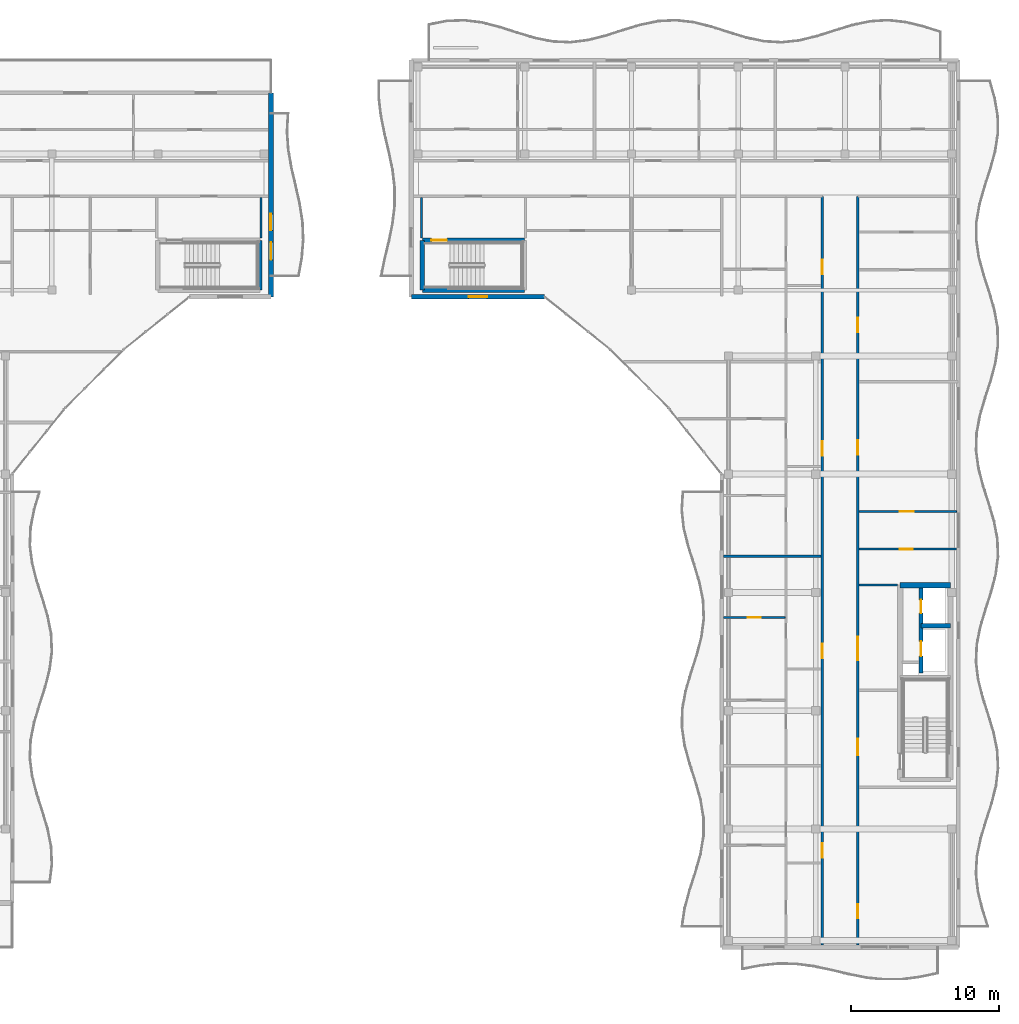
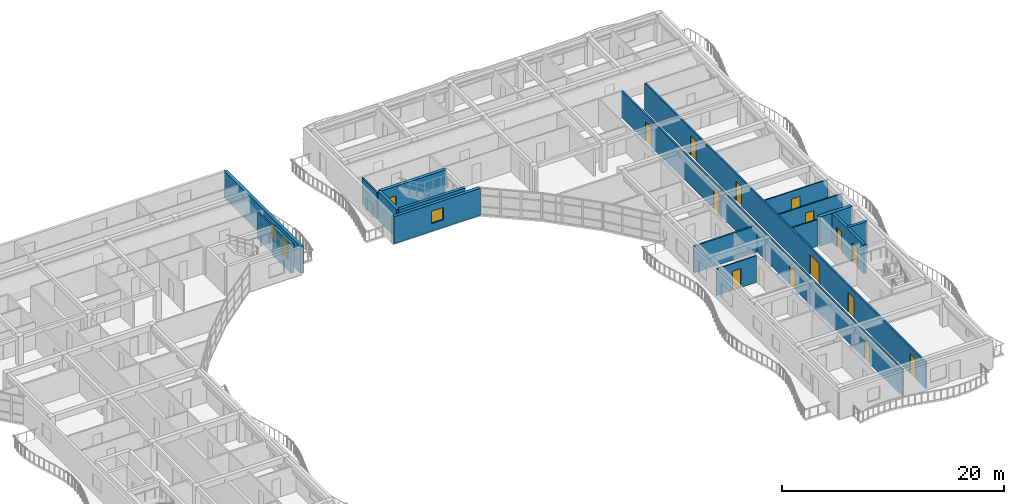
# One storey, part 35 of 54: 18 walls, 16 doors, 2 windows, 18 openings.
"""IFC4 building model written with IfcOpenShell, lengths in metres."""

from ifc_helpers import new_model, si_unit, direction, frame, frame_2d, origin, place, context, subcontext, project, spatial, rectangle, extrude, material, layer, layer_set, type_object, element, fill, save


model = new_model("IFC4")

# Units and contexts
model_context = context("Model", 3, precision=1e-05, world=origin(), true_north=direction((0.0, 1.0)))
body_context = subcontext(model_context, "Body", "Model", "MODEL_VIEW")
ifc_project = project(units=[si_unit("LENGTHUNIT", "METRE"), si_unit("AREAUNIT", "SQUARE_METRE"), si_unit("VOLUMEUNIT", "CUBIC_METRE"), si_unit("PLANEANGLEUNIT", "RADIAN"), si_unit("MASSUNIT", "GRAM", prefix="KILO")], contexts=[model_context])

# Site, building, storey
site_placement = place(None, origin())
site = spatial("IfcSite", under=ifc_project, at=site_placement, CompositionType="ELEMENT")
building_placement = place(site_placement, origin())
building = spatial("IfcBuilding", under=site, at=building_placement, Name="Keldmere Railside Commons", CompositionType="ELEMENT")
storey_placement = place(building_placement, frame((0.0, 0.0, 26.56005859375)))
storey = spatial("IfcBuildingStorey", under=building, at=storey_placement, Name="L08", CompositionType="ELEMENT", Elevation=26.56005859375)

# Wall
ifc_material_1 = material(Name="Acoustic Gypsum Board Partition", Category="gypsum")
ifc_layer_1 = layer(ifc_material_1, 0.179931640625, Name="Acoustic Demising Partition 180")
ifc_layer_set_1 = layer_set([ifc_layer_1], Name="Acoustic Gypsum Board Partition")
wall_type_1 = type_object("IfcWallType", Name="Acoustic Demising Partition 180", PredefinedType="PARTITIONING", material=ifc_layer_set_1)
wall_1_placement = place(storey_placement, frame((168.1201171875, 82.449951171875, 0.0), z_axis=(0.0, 0.0, 1.0), x_axis=(1.0, 0.0, 0.0)))
element("IfcWall", 1, at=wall_1_placement, inside=storey, type_object=wall_type_1, Name="IW-1 IW-L08-1731", PredefinedType="PARTITIONING", context=body_context, shape_type="SweptSolid", body=[
    extrude(rectangle(XDim=6.599853515625, YDim=0.179931640625, at=frame_2d((3.2998046875, 0.0))), origin(), (0.0, 0.0, 1.0), 2.93505859375),
])

# Wall, opening, door
ifc_layer_2 = layer(ifc_material_1, 0.1201171875, Name="Apartment Interior Partition 120")
ifc_layer_set_2 = layer_set([ifc_layer_2], Name="Acoustic Gypsum Board Partition")
wall_type_2 = type_object("IfcWallType", Name="Apartment Interior Partition 120", PredefinedType="PARTITIONING", material=ifc_layer_set_2)
wall_2_placement = place(storey_placement, frame((168.1201171875, 78.31005859375, 0.0), z_axis=(0.0, 0.0, 1.0), x_axis=(1.0, 0.0, 0.0)))
wall_2 = element("IfcWall", 2, at=wall_2_placement, inside=storey, type_object=wall_type_2, Name="IW-4 IW-L08-1739", PredefinedType="PARTITIONING", context=body_context, shape_type="SweptSolid", body=[
    extrude(rectangle(XDim=4.159912109375, YDim=0.1201171875, at=frame_2d((2.080078125, 0.0))), origin(), (0.0, 0.0, 1.0), 2.93505859375),
])
opening_1_placement = place(wall_2_placement, frame((1.639892578125, 0.0, 0.0)))
opening_1 = element("IfcOpeningElement", 3, at=opening_1_placement, cuts=wall_2, Name="Opening ID-02", PredefinedType="OPENING", context=body_context, shape_type="SweptSolid", body=[
    extrude(rectangle(XDim=0.8798828125, YDim=2.10009765625, at=frame_2d((0.43994140625, 1.050048828125))), frame((0.0, 0.070068359375, 0.0), z_axis=(0.0, -1.0, 0.0), x_axis=(1.0, 0.0, 0.0)), (0.0, 0.0, 1.0), 0.14013671875),
])
ifc_material_2 = material(Name="Engineered Oak Timber", Category="wood")
door_type_1 = type_object("IfcDoorType", Name="Secondary Bedroom Door 880x2100", OperationType="NOTDEFINED", PredefinedType="DOOR", material=ifc_material_2)
door_1_placement = place(opening_1_placement, origin())
door_1 = element("IfcDoor", 4, at=door_1_placement, inside=storey, type_object=door_type_1, Name="ID-02 IDR-L08-1580", OperationType="SINGLE_SWING_RIGHT", OverallHeight=2.10009765625, OverallWidth=0.8798828125, PredefinedType="DOOR", context=body_context, shape_type="SweptSolid", body=[
    extrude(rectangle(XDim=0.8798828125, YDim=2.10009765625, at=frame_2d((0.43994140625, 1.050048828125))), frame((0.0, 0.02490234375, 0.0), z_axis=(0.0, -1.0, 0.0), x_axis=(1.0, 0.0, 0.0)), (0.0, 0.0, 1.0), 0.050048828125),
])
fill(opening_1, door_1)

wall_3_placement = place(storey_placement, frame((177.280029296875, 85.47998046875, 0.0), z_axis=(0.0, 0.0, 1.0), x_axis=(1.0, 0.0, 0.0)))
wall_3 = element("IfcWall", 5, at=wall_3_placement, inside=storey, type_object=wall_type_2, Name="IW-4 IW-L08-1763", PredefinedType="PARTITIONING", context=body_context, shape_type="SweptSolid", body=[
    extrude(rectangle(XDim=6.599853515625, YDim=0.1201171875, at=frame_2d((3.2998046875, 0.0))), origin(), (0.0, 0.0, 1.0), 2.93505859375),
])
opening_2_placement = place(wall_3_placement, frame((2.77197265625, 0.0, 0.0)))
opening_2 = element("IfcOpeningElement", 6, at=opening_2_placement, cuts=wall_3, Name="Opening ID-03", PredefinedType="OPENING", context=body_context, shape_type="SweptSolid", body=[
    extrude(rectangle(XDim=0.919921875, YDim=2.10009765625, at=frame_2d((0.4599609375, 1.050048828125))), frame((0.0, 0.070068359375, 0.0), z_axis=(0.0, -1.0, 0.0), x_axis=(1.0, 0.0, 0.0)), (0.0, 0.0, 1.0), 0.14013671875),
])
door_type_2 = type_object("IfcDoorType", Name="Kitchen Pocket-Frame Swing Door 920x2100", OperationType="NOTDEFINED", PredefinedType="DOOR", material=ifc_material_2)
door_2_placement = place(opening_2_placement, origin())
door_2 = element("IfcDoor", 7, at=door_2_placement, inside=storey, type_object=door_type_2, Name="ID-03 IDR-L08-1611", OperationType="SINGLE_SWING_LEFT", OverallHeight=2.10009765625, OverallWidth=0.919921875, PredefinedType="DOOR", context=body_context, shape_type="SweptSolid", body=[
    extrude(rectangle(XDim=0.919921875, YDim=2.10009765625, at=frame_2d((0.4599609375, 1.050048828125))), frame((0.0, 0.02490234375, 0.0), z_axis=(0.0, -1.0, 0.0), x_axis=(1.0, 0.0, 0.0)), (0.0, 0.0, 1.0), 0.050048828125),
])
fill(opening_2, door_2)

# Wall
ifc_material_3 = material(Name="Concrete H-35 (C35/45)", Category="concrete")
ifc_layer_3 = layer(ifc_material_3, 0.280029296875, Name="Core Shear Wall 280")
ifc_layer_set_3 = layer_set([ifc_layer_3], Name="Concrete H-35 (C35/45)")
wall_type_3 = type_object("IfcWallType", Name="Core Shear Wall 280", PredefinedType="SHEAR", material=ifc_layer_set_3)
wall_4_placement = place(storey_placement, frame((181.469970703125, 77.75, 0.0), z_axis=(0.0, 0.0, 1.0), x_axis=(1.0, 0.0, 0.0)))
element("IfcWall", 8, at=wall_4_placement, inside=storey, type_object=wall_type_3, Name="CSW-2 COREAL-L08-0809", PredefinedType="SHEAR", context=body_context, shape_type="SweptSolid", body=[
    extrude(rectangle(XDim=2.0, YDim=0.280029296875, at=frame_2d((1.0, 0.0))), origin(), (0.0, 0.0, 1.0), 3.199951171875),
])

# Wall, openings, doors
wall_5_placement = place(storey_placement, frame((181.469970703125, 74.550048828125, 0.0), z_axis=(0.0, 0.0, 1.0), x_axis=(0.0, 1.0, 0.0)))
wall_5 = element("IfcWall", 9, at=wall_5_placement, inside=storey, type_object=wall_type_3, Name="CSW-2 LSHA-L08-0810", PredefinedType="SHEAR", context=body_context, shape_type="SweptSolid", body=[
    extrude(rectangle(XDim=5.949951171875, YDim=0.280029296875, at=frame_2d((2.97509765625, 0.0))), origin(), (0.0, 0.0, 1.0), 3.199951171875),
])
opening_3_placement = place(wall_5_placement, frame((1.14990234375, 0.0, 0.0)))
opening_3 = element("IfcOpeningElement", 10, at=opening_3_placement, cuts=wall_5, Name="Opening LD-1", PredefinedType="OPENING", context=body_context, shape_type="SweptSolid", body=[
    extrude(rectangle(XDim=1.0, YDim=2.14990234375, at=frame_2d((0.5, 1.074951171875))), frame((0.0, 0.14990234375, 0.0), z_axis=(0.0, -1.0, 0.0), x_axis=(1.0, 0.0, 0.0)), (0.0, 0.0, 1.0), 0.300048828125),
])
opening_4_placement = place(wall_5_placement, frame((4.050048828125, 0.0, 0.0)))
opening_4 = element("IfcOpeningElement", 11, at=opening_4_placement, cuts=wall_5, Name="Opening LD-2", PredefinedType="OPENING", context=body_context, shape_type="SweptSolid", body=[
    extrude(rectangle(XDim=0.89990234375, YDim=2.14990234375, at=frame_2d((0.449951171875, 1.074951171875))), frame((0.0, 0.14990234375, 0.0), z_axis=(0.0, -1.0, 0.0), x_axis=(1.0, 0.0, 0.0)), (0.0, 0.0, 1.0), 0.300048828125),
])
ifc_material_4 = material(Name="Steel F-24 (S235)", Category="steel")
door_type_3 = type_object("IfcDoorType", Name="Firefighting Stretcher Lift Landing Door 1000x2150", OperationType="SLIDING_TO_LEFT", PredefinedType="DOOR", material=ifc_material_4)
door_3_placement = place(opening_3_placement, origin())
door_3 = element("IfcDoor", 12, at=door_3_placement, inside=storey, type_object=door_type_3, Name="LD-1 A L08", OperationType="SLIDING_TO_LEFT", OverallHeight=2.14990234375, OverallWidth=1.0, PredefinedType="DOOR", context=body_context, shape_type="SweptSolid", body=[
    extrude(rectangle(XDim=1.0, YDim=2.14990234375, at=frame_2d((0.5, 1.074951171875))), frame((0.0, 0.02490234375, 0.0), z_axis=(0.0, -1.0, 0.0), x_axis=(1.0, 0.0, 0.0)), (0.0, 0.0, 1.0), 0.050048828125),
])
fill(opening_3, door_3)
door_type_4 = type_object("IfcDoorType", Name="Passenger Lift Sliding Landing Door 900x2150", OperationType="SLIDING_TO_RIGHT", PredefinedType="DOOR", material=ifc_material_4)
door_4_placement = place(opening_4_placement, origin())
door_4 = element("IfcDoor", 13, at=door_4_placement, inside=storey, type_object=door_type_4, Name="LD-2 A L08", OperationType="SLIDING_TO_RIGHT", OverallHeight=2.14990234375, OverallWidth=0.89990234375, PredefinedType="DOOR", context=body_context, shape_type="SweptSolid", body=[
    extrude(rectangle(XDim=0.89990234375, YDim=2.14990234375, at=frame_2d((0.449951171875, 1.074951171875))), frame((0.0, 0.02490234375, 0.0), z_axis=(0.0, -1.0, 0.0), x_axis=(1.0, 0.0, 0.0)), (0.0, 0.0, 1.0), 0.050048828125),
])
fill(opening_4, door_4)

# Wall
ifc_material_5 = material(Name="Concrete H-40 (C40/50)", Category="concrete")
ifc_layer_4 = layer(ifc_material_5, 0.3798828125, Name="Core Shear Wall 380")
ifc_layer_set_4 = layer_set([ifc_layer_4], Name="Concrete H-40 (C40/50)")
wall_type_4 = type_object("IfcWallType", Name="Core Shear Wall 380", PredefinedType="SHEAR", material=ifc_layer_set_4)
wall_6_placement = place(storey_placement, frame((180.06005859375, 80.5, 0.0), z_axis=(0.0, 0.0, 1.0), x_axis=(1.0, 0.0, 0.0)))
element("IfcWall", 14, at=wall_6_placement, inside=storey, type_object=wall_type_4, Name="CW-CORE COREAN-L08-0805", PredefinedType="SHEAR", context=body_context, shape_type="SweptSolid", body=[
    extrude(rectangle(XDim=3.409912109375, YDim=0.3798828125, at=frame_2d((1.705078125, 0.0))), origin(), (0.0, 0.0, 1.0), 3.199951171875),
])

# Wall, openings, doors
ifc_layer_5 = layer(ifc_material_1, 0.159912109375, Name="Corridor Fire Partition 160")
ifc_layer_set_5 = layer_set([ifc_layer_5], Name="Acoustic Gypsum Board Partition")
wall_type_5 = type_object("IfcWallType", Name="Corridor Fire Partition 160", PredefinedType="PARTITIONING", material=ifc_layer_set_5)
wall_7_placement = place(storey_placement, frame((174.800048828125, 56.159912109375, 0.0), z_axis=(0.0, 0.0, 1.0), x_axis=(0.0, 1.0, 0.0)))
wall_7 = element("IfcWall", 15, at=wall_7_placement, inside=storey, type_object=wall_type_5, Name="IW-2 IW-L08-1722", PredefinedType="PARTITIONING", context=body_context, shape_type="SweptSolid", body=[
    extrude(rectangle(XDim=50.64013671875, YDim=0.159912109375, at=frame_2d((25.320068359375, 0.0))), origin(), (0.0, 0.0, 1.0), 2.93505859375),
])
opening_5_placement = place(wall_7_placement, frame((5.889892578125, 0.0, 0.0)))
opening_5 = element("IfcOpeningElement", 16, at=opening_5_placement, cuts=wall_7, Name="Opening FD-7", PredefinedType="OPENING", context=body_context, shape_type="SweptSolid", body=[
    extrude(rectangle(XDim=0.97998046875, YDim=2.14990234375, at=frame_2d((0.489990234375, 1.074951171875))), frame((0.0, 0.08984375, 0.0), z_axis=(0.0, -1.0, 0.0), x_axis=(1.0, 0.0, 0.0)), (0.0, 0.0, 1.0), 0.179931640625),
])
opening_6_placement = place(wall_7_placement, frame((19.39990234375, 0.0, 0.0)))
opening_6 = element("IfcOpeningElement", 17, at=opening_6_placement, cuts=wall_7, Name="Opening FD-7", PredefinedType="OPENING", context=body_context, shape_type="SweptSolid", body=[
    extrude(rectangle(XDim=0.97998046875, YDim=2.14990234375, at=frame_2d((0.489990234375, 1.074951171875))), frame((0.0, 0.08984375, 0.0), z_axis=(0.0, -1.0, 0.0), x_axis=(1.0, 0.0, 0.0)), (0.0, 0.0, 1.0), 0.179931640625),
])
opening_7_placement = place(wall_7_placement, frame((33.10009765625, 0.0, 0.0)))
opening_7 = element("IfcOpeningElement", 18, at=opening_7_placement, cuts=wall_7, Name="Opening FD-7", PredefinedType="OPENING", context=body_context, shape_type="SweptSolid", body=[
    extrude(rectangle(XDim=0.97998046875, YDim=2.14990234375, at=frame_2d((0.489990234375, 1.074951171875))), frame((0.0, 0.08984375, 0.0), z_axis=(0.0, -1.0, 0.0), x_axis=(1.0, 0.0, 0.0)), (0.0, 0.0, 1.0), 0.179931640625),
])
opening_8_placement = place(wall_7_placement, frame((45.35009765625, 0.0, 0.0)))
opening_8 = element("IfcOpeningElement", 19, at=opening_8_placement, cuts=wall_7, Name="Opening FD-7", PredefinedType="OPENING", context=body_context, shape_type="SweptSolid", body=[
    extrude(rectangle(XDim=0.97998046875, YDim=2.14990234375, at=frame_2d((0.489990234375, 1.074951171875))), frame((0.0, 0.08984375, 0.0), z_axis=(0.0, -1.0, 0.0), x_axis=(1.0, 0.0, 0.0)), (0.0, 0.0, 1.0), 0.179931640625),
])
door_type_5 = type_object("IfcDoorType", Name="Apartment Entrance Acoustic Fire Door 980x2150", OperationType="NOTDEFINED", PredefinedType="DOOR", material=ifc_material_2)
door_5_placement = place(opening_5_placement, origin())
door_5 = element("IfcDoor", 20, at=door_5_placement, inside=storey, type_object=door_type_5, Name="FD-7 IDR-L08-1574", OperationType="SINGLE_SWING_RIGHT", OverallHeight=2.14990234375, OverallWidth=0.97998046875, PredefinedType="DOOR", context=body_context, shape_type="SweptSolid", body=[
    extrude(rectangle(XDim=0.97998046875, YDim=2.14990234375, at=frame_2d((0.489990234375, 1.074951171875))), frame((0.0, 0.02490234375, 0.0), z_axis=(0.0, -1.0, 0.0), x_axis=(1.0, 0.0, 0.0)), (0.0, 0.0, 1.0), 0.050048828125),
])
fill(opening_5, door_5)
door_6_placement = place(opening_6_placement, origin())
door_6 = element("IfcDoor", 21, at=door_6_placement, inside=storey, type_object=door_type_5, Name="FD-7 IDR-L08-1578", OperationType="SINGLE_SWING_RIGHT", OverallHeight=2.14990234375, OverallWidth=0.97998046875, PredefinedType="DOOR", context=body_context, shape_type="SweptSolid", body=[
    extrude(rectangle(XDim=0.97998046875, YDim=2.14990234375, at=frame_2d((0.489990234375, 1.074951171875))), frame((0.0, 0.02490234375, 0.0), z_axis=(0.0, -1.0, 0.0), x_axis=(1.0, 0.0, 0.0)), (0.0, 0.0, 1.0), 0.050048828125),
])
fill(opening_6, door_6)
door_7_placement = place(opening_7_placement, origin())
door_7 = element("IfcDoor", 22, at=door_7_placement, inside=storey, type_object=door_type_5, Name="FD-7 IDR-L08-1583", OperationType="SINGLE_SWING_LEFT", OverallHeight=2.14990234375, OverallWidth=0.97998046875, PredefinedType="DOOR", context=body_context, shape_type="SweptSolid", body=[
    extrude(rectangle(XDim=0.97998046875, YDim=2.14990234375, at=frame_2d((0.489990234375, 1.074951171875))), frame((0.0, 0.02490234375, 0.0), z_axis=(0.0, -1.0, 0.0), x_axis=(1.0, 0.0, 0.0)), (0.0, 0.0, 1.0), 0.050048828125),
])
fill(opening_7, door_7)
door_8_placement = place(opening_8_placement, origin())
door_8 = element("IfcDoor", 23, at=door_8_placement, inside=storey, type_object=door_type_5, Name="FD-7 IDR-L08-1588", OperationType="SINGLE_SWING_RIGHT", OverallHeight=2.14990234375, OverallWidth=0.97998046875, PredefinedType="DOOR", context=body_context, shape_type="SweptSolid", body=[
    extrude(rectangle(XDim=0.97998046875, YDim=2.14990234375, at=frame_2d((0.489990234375, 1.074951171875))), frame((0.0, 0.02490234375, 0.0), z_axis=(0.0, -1.0, 0.0), x_axis=(1.0, 0.0, 0.0)), (0.0, 0.0, 1.0), 0.050048828125),
])
fill(opening_8, door_8)

wall_8_placement = place(storey_placement, frame((177.199951171875, 56.159912109375, 0.0), z_axis=(0.0, 0.0, 1.0), x_axis=(0.0, 1.0, 0.0)))
wall_8 = element("IfcWall", 24, at=wall_8_placement, inside=storey, type_object=wall_type_5, Name="IW-2 IW-L08-1723", PredefinedType="PARTITIONING", context=body_context, shape_type="SweptSolid", body=[
    extrude(rectangle(XDim=50.64013671875, YDim=0.159912109375, at=frame_2d((25.320068359375, 0.0))), origin(), (0.0, 0.0, 1.0), 2.93505859375),
])
opening_9_placement = place(wall_8_placement, frame((12.840087890625, 0.0, 0.0)))
opening_9 = element("IfcOpeningElement", 25, at=opening_9_placement, cuts=wall_8, Name="Opening FD-2", PredefinedType="OPENING", context=body_context, shape_type="SweptSolid", body=[
    extrude(rectangle(XDim=1.10009765625, YDim=2.14990234375, at=frame_2d((0.550048828125, 1.074951171875))), frame((0.0, 0.08984375, 0.0), z_axis=(0.0, -1.0, 0.0), x_axis=(1.0, 0.0, 0.0)), (0.0, 0.0, 1.0), 0.179931640625),
])
opening_10_placement = place(wall_8_placement, frame((19.239990234375, 0.0, 0.0)))
opening_10 = element("IfcOpeningElement", 26, at=opening_10_placement, cuts=wall_8, Name="Opening FD-4", PredefinedType="OPENING", context=body_context, shape_type="SweptSolid", body=[
    extrude(rectangle(XDim=1.60009765625, YDim=2.14990234375, at=frame_2d((0.800048828125, 1.074951171875))), frame((0.0, 0.08984375, 0.0), z_axis=(0.0, -1.0, 0.0), x_axis=(1.0, 0.0, 0.0)), (0.0, 0.0, 1.0), 0.179931640625),
])
opening_11_placement = place(wall_8_placement, frame((1.800048828125, 0.0, 0.0)))
opening_11 = element("IfcOpeningElement", 27, at=opening_11_placement, cuts=wall_8, Name="Opening ID-08", PredefinedType="OPENING", context=body_context, shape_type="SweptSolid", body=[
    extrude(rectangle(XDim=0.9599609375, YDim=2.14990234375, at=frame_2d((0.47998046875, 1.074951171875))), frame((0.0, 0.08984375, 0.0), z_axis=(0.0, -1.0, 0.0), x_axis=(1.0, 0.0, 0.0)), (0.0, 0.0, 1.0), 0.179931640625),
])
opening_12_placement = place(wall_8_placement, frame((33.169921875, 0.0, 0.0)))
opening_12 = element("IfcOpeningElement", 28, at=opening_12_placement, cuts=wall_8, Name="Opening FD-7", PredefinedType="OPENING", context=body_context, shape_type="SweptSolid", body=[
    extrude(rectangle(XDim=0.97998046875, YDim=2.14990234375, at=frame_2d((0.489990234375, 1.074951171875))), frame((0.0, 0.08984375, 0.0), z_axis=(0.0, -1.0, 0.0), x_axis=(1.0, 0.0, 0.0)), (0.0, 0.0, 1.0), 0.179931640625),
])
opening_13_placement = place(wall_8_placement, frame((41.429931640625, 0.0, 0.0)))
opening_13 = element("IfcOpeningElement", 29, at=opening_13_placement, cuts=wall_8, Name="Opening FD-7", PredefinedType="OPENING", context=body_context, shape_type="SweptSolid", body=[
    extrude(rectangle(XDim=0.97998046875, YDim=2.14990234375, at=frame_2d((0.489990234375, 1.074951171875))), frame((0.0, 0.08984375, 0.0), z_axis=(0.0, -1.0, 0.0), x_axis=(1.0, 0.0, 0.0)), (0.0, 0.0, 1.0), 0.179931640625),
])
door_9_placement = place(opening_12_placement, origin())
door_9 = element("IfcDoor", 30, at=door_9_placement, inside=storey, type_object=door_type_5, Name="FD-7 IDR-L08-1612", OperationType="SINGLE_SWING_RIGHT", OverallHeight=2.14990234375, OverallWidth=0.97998046875, PredefinedType="DOOR", context=body_context, shape_type="SweptSolid", body=[
    extrude(rectangle(XDim=0.97998046875, YDim=2.14990234375, at=frame_2d((0.489990234375, 1.074951171875))), frame((0.0, 0.02490234375, 0.0), z_axis=(0.0, -1.0, 0.0), x_axis=(1.0, 0.0, 0.0)), (0.0, 0.0, 1.0), 0.050048828125),
])
fill(opening_12, door_9)
door_10_placement = place(opening_13_placement, origin())
door_10 = element("IfcDoor", 31, at=door_10_placement, inside=storey, type_object=door_type_5, Name="FD-7 IDR-L08-1615", OperationType="SINGLE_SWING_LEFT", OverallHeight=2.14990234375, OverallWidth=0.97998046875, PredefinedType="DOOR", context=body_context, shape_type="SweptSolid", body=[
    extrude(rectangle(XDim=0.97998046875, YDim=2.14990234375, at=frame_2d((0.489990234375, 1.074951171875))), frame((0.0, 0.02490234375, 0.0), z_axis=(0.0, -1.0, 0.0), x_axis=(1.0, 0.0, 0.0)), (0.0, 0.0, 1.0), 0.050048828125),
])
fill(opening_13, door_10)
door_type_6 = type_object("IfcDoorType", Name="Corridor Cross-Compartment Double Fire Door 1600x2150", OperationType="DOUBLE_DOOR_SINGLE_SWING", PredefinedType="DOOR", material=ifc_material_4)
door_11_placement = place(opening_10_placement, origin())
door_11 = element("IfcDoor", 32, at=door_11_placement, inside=storey, type_object=door_type_6, Name="FD-4 IDR-L08-1571", OperationType="DOUBLE_DOOR_SINGLE_SWING", OverallHeight=2.14990234375, OverallWidth=1.60009765625, PredefinedType="DOOR", context=body_context, shape_type="SweptSolid", body=[
    extrude(rectangle(XDim=1.60009765625, YDim=2.14990234375, at=frame_2d((0.800048828125, 1.074951171875))), frame((0.0, 0.02490234375, 0.0), z_axis=(0.0, -1.0, 0.0), x_axis=(1.0, 0.0, 0.0)), (0.0, 0.0, 1.0), 0.050048828125),
])
fill(opening_10, door_11)
door_type_7 = type_object("IfcDoorType", Name="Firefighting Lobby Fire Door 1100x2150", OperationType="NOTDEFINED", PredefinedType="DOOR", material=ifc_material_4)
door_12_placement = place(opening_9_placement, origin())
door_12 = element("IfcDoor", 33, at=door_12_placement, inside=storey, type_object=door_type_7, Name="FD-2 IDR-L08-1570", OperationType="SINGLE_SWING_RIGHT", OverallHeight=2.14990234375, OverallWidth=1.10009765625, PredefinedType="DOOR", context=body_context, shape_type="SweptSolid", body=[
    extrude(rectangle(XDim=1.10009765625, YDim=2.14990234375, at=frame_2d((0.550048828125, 1.074951171875))), frame((0.0, 0.02490234375, 0.0), z_axis=(0.0, -1.0, 0.0), x_axis=(1.0, 0.0, 0.0)), (0.0, 0.0, 1.0), 0.050048828125),
])
fill(opening_9, door_12)
door_type_8 = type_object("IfcDoorType", Name="Study & Meeting Room Door 960x2150", OperationType="NOTDEFINED", PredefinedType="DOOR", material=ifc_material_2)
door_13_placement = place(opening_11_placement, origin())
door_13 = element("IfcDoor", 34, at=door_13_placement, inside=storey, type_object=door_type_8, Name="ID-08 IDR-L08-1609", OperationType="SINGLE_SWING_LEFT", OverallHeight=2.14990234375, OverallWidth=0.9599609375, PredefinedType="DOOR", context=body_context, shape_type="SweptSolid", body=[
    extrude(rectangle(XDim=0.9599609375, YDim=2.14990234375, at=frame_2d((0.47998046875, 1.074951171875))), frame((0.0, 0.02490234375, 0.0), z_axis=(0.0, -1.0, 0.0), x_axis=(1.0, 0.0, 0.0)), (0.0, 0.0, 1.0), 0.050048828125),
])
fill(opening_11, door_13)

# Wall, openings, door, window
ifc_layer_6 = layer(ifc_material_3, 0.320068359375, Name="Exterior Shear Wall 320")
ifc_layer_set_6 = layer_set([ifc_layer_6], Name="Concrete H-35 (C35/45)")
wall_type_6 = type_object("IfcWallType", Name="Exterior Shear Wall 320", PredefinedType="SHEAR", material=ifc_layer_set_6)
wall_9_placement = place(storey_placement, frame((137.5, 113.800048828125, 0.0), z_axis=(0.0, 0.0, 1.0), x_axis=(0.0, -1.0, 0.0)))
wall_9 = element("IfcWall", 35, at=wall_9_placement, inside=storey, type_object=wall_type_6, Name="ESW-2 EXTB-L08-0650", PredefinedType="SHEAR", context=body_context, shape_type="SweptSolid", body=[
    extrude(rectangle(XDim=13.800048828125, YDim=0.320068359375, at=frame_2d((6.89990234375, 0.0))), origin(), (0.0, 0.0, 1.0), 2.97998046875),
])
opening_14_placement = place(wall_9_placement, frame((10.10009765625, 0.0, 0.0)))
opening_14 = element("IfcOpeningElement", 36, at=opening_14_placement, cuts=wall_9, Name="Opening BD-01", PredefinedType="OPENING", context=body_context, shape_type="SweptSolid", body=[
    extrude(rectangle(XDim=1.199951171875, YDim=2.199951171875, at=frame_2d((0.60009765625, 1.10009765625))), frame((0.0, 0.169921875, 0.0), z_axis=(0.0, -1.0, 0.0), x_axis=(1.0, 0.0, 0.0)), (0.0, 0.0, 1.0), 0.340087890625),
])
opening_15_placement = place(wall_9_placement, frame((8.199951171875, 0.0, 0.6201171875)))
opening_15 = element("IfcOpeningElement", 37, at=opening_15_placement, cuts=wall_9, Name="Opening WN-16", PredefinedType="OPENING", context=body_context, shape_type="SweptSolid", body=[
    extrude(rectangle(XDim=1.10009765625, YDim=1.60009765625, at=frame_2d((0.550048828125, 0.800048828125))), frame((0.0, 0.169921875, 0.0), z_axis=(0.0, -1.0, 0.0), x_axis=(1.0, 0.0, 0.0)), (0.0, 0.0, 1.0), 0.340087890625),
])
ifc_material_6 = material(Name="Thermally Broken Aluminium", Category="aluminium")
door_type_9 = type_object("IfcDoorType", Name="Apartment Living Wave-Balcony Glazed Door 1200x2200", OperationType="NOTDEFINED", PredefinedType="DOOR", material=ifc_material_6)
door_14_placement = place(opening_14_placement, origin())
door_14 = element("IfcDoor", 38, at=door_14_placement, inside=storey, type_object=door_type_9, Name="BD-01 DR-L08-0186", OperationType="SINGLE_SWING_RIGHT", OverallHeight=2.199951171875, OverallWidth=1.199951171875, PredefinedType="DOOR", context=body_context, shape_type="SweptSolid", body=[
    extrude(rectangle(XDim=1.199951171875, YDim=2.199951171875, at=frame_2d((0.60009765625, 1.10009765625))), frame((0.0, 0.02490234375, 0.0), z_axis=(0.0, -1.0, 0.0), x_axis=(1.0, 0.0, 0.0)), (0.0, 0.0, 1.0), 0.050048828125),
])
fill(opening_14, door_14)
ifc_material_7 = material(Name="Low-E Insulated Double Glazing", Category="glass")
window_type_1 = type_object("IfcWindowType", Name="Corridor End Daylight Window 1100x1600", PartitioningType="SINGLE_PANEL", PredefinedType="WINDOW", material=ifc_material_7)
window_1_placement = place(opening_15_placement, origin())
window_1 = element("IfcWindow", 39, at=window_1_placement, inside=storey, type_object=window_type_1, Name="WN-16 WIN-L08-0497", OverallHeight=1.60009765625, OverallWidth=1.10009765625, PartitioningType="SINGLE_PANEL", PredefinedType="WINDOW", context=body_context, shape_type="SweptSolid", body=[
    extrude(rectangle(XDim=1.10009765625, YDim=1.60009765625, at=frame_2d((0.550048828125, 0.800048828125))), frame((0.0, 0.030029296875, 0.0), z_axis=(0.0, -1.0, 0.0), x_axis=(1.0, 0.0, 0.0)), (0.0, 0.0, 1.0), 0.06005859375),
])
fill(opening_15, window_1)

# Wall, opening, window
wall_10_placement = place(storey_placement, frame((156.0, 100.0, 0.0), z_axis=(0.0, 0.0, 1.0), x_axis=(-1.0, 0.0, 0.0)))
wall_10 = element("IfcWall", 40, at=wall_10_placement, inside=storey, type_object=wall_type_6, Name="ESW-2 EXTA-L08-0935", PredefinedType="SHEAR", context=body_context, shape_type="SweptSolid", body=[
    extrude(rectangle(XDim=9.0, YDim=0.320068359375, at=frame_2d((4.5, 0.0))), origin(), (0.0, 0.0, 1.0), 2.97998046875),
])
opening_16_placement = place(wall_10_placement, frame((3.875, 0.0, 0.8701171875)))
opening_16 = element("IfcOpeningElement", 41, at=opening_16_placement, cuts=wall_10, Name="Opening WN-09", PredefinedType="OPENING", context=body_context, shape_type="SweptSolid", body=[
    extrude(rectangle(XDim=1.25, YDim=1.35009765625, at=frame_2d((0.625, 0.675048828125))), frame((0.0, 0.169921875, 0.0), z_axis=(0.0, -1.0, 0.0), x_axis=(1.0, 0.0, 0.0)), (0.0, 0.0, 1.0), 0.340087890625),
])
window_type_2 = type_object("IfcWindowType", Name="Secondary Bedroom Window 1250x1350", PartitioningType="SINGLE_PANEL", PredefinedType="WINDOW", material=ifc_material_7)
window_2_placement = place(opening_16_placement, origin())
window_2 = element("IfcWindow", 42, at=window_2_placement, inside=storey, type_object=window_type_2, Name="WN-09 WIN-L08-0734", OverallHeight=1.35009765625, OverallWidth=1.25, PartitioningType="SINGLE_PANEL", PredefinedType="WINDOW", context=body_context, shape_type="SweptSolid", body=[
    extrude(rectangle(XDim=1.25, YDim=1.35009765625, at=frame_2d((0.625, 0.675048828125))), frame((0.0, 0.030029296875, 0.0), z_axis=(0.0, -1.0, 0.0), x_axis=(1.0, 0.0, 0.0)), (0.0, 0.0, 1.0), 0.06005859375),
])
fill(opening_16, window_2)

# Walls
ifc_layer_7 = layer(ifc_material_3, 0.300048828125, Name="Interior Shear Wall 300")
ifc_layer_set_7 = layer_set([ifc_layer_7], Name="Concrete H-35 (C35/45)")
wall_type_7 = type_object("IfcWallType", Name="Interior Shear Wall 300", PredefinedType="SHEAR", material=ifc_layer_set_7)
wall_11_placement = place(storey_placement, frame((136.75, 100.449951171875, 0.0), z_axis=(0.0, 0.0, 1.0), x_axis=(0.0, 1.0, 0.0)))
element("IfcWall", 43, at=wall_11_placement, inside=storey, type_object=wall_type_7, Name="ISW-2 COREB2E-L08-0539", PredefinedType="SHEAR", context=body_context, shape_type="SweptSolid", body=[
    extrude(rectangle(XDim=3.3701171875, YDim=0.300048828125, at=frame_2d((1.68505859375, 0.0))), origin(), (0.0, 0.0, 1.0), 3.199951171875),
])
wall_12_placement = place(storey_placement, frame((147.75, 100.449951171875, 0.0), z_axis=(0.0, 0.0, 1.0), x_axis=(1.0, 0.0, 0.0)))
element("IfcWall", 44, at=wall_12_placement, inside=storey, type_object=wall_type_7, Name="ISW-2 COREA2S-L08-0812", PredefinedType="SHEAR", context=body_context, shape_type="SweptSolid", body=[
    extrude(rectangle(XDim=6.89990234375, YDim=0.300048828125, at=frame_2d((3.449951171875, 0.0))), origin(), (0.0, 0.0, 1.0), 3.199951171875),
])
wall_13_placement = place(storey_placement, frame((147.75, 103.820068359375, 0.0), z_axis=(0.0, 0.0, 1.0), x_axis=(0.0, -1.0, 0.0)))
element("IfcWall", 45, at=wall_13_placement, inside=storey, type_object=wall_type_7, Name="ISW-2 COREA2W-L08-0814", PredefinedType="SHEAR", context=body_context, shape_type="SweptSolid", body=[
    extrude(rectangle(XDim=3.3701171875, YDim=0.300048828125, at=frame_2d((1.68505859375, 0.0))), origin(), (0.0, 0.0, 1.0), 3.199951171875),
])

# Wall, opening, door
ifc_layer_8 = layer(ifc_material_3, 0.340087890625, Name="Interior Shear Wall 340")
ifc_layer_set_8 = layer_set([ifc_layer_8], Name="Concrete H-35 (C35/45)")
wall_type_8 = type_object("IfcWallType", Name="Interior Shear Wall 340", PredefinedType="SHEAR", material=ifc_layer_set_8)
wall_14_placement = place(storey_placement, frame((154.64990234375, 103.820068359375, 0.0), z_axis=(0.0, 0.0, 1.0), x_axis=(-1.0, 0.0, 0.0)))
wall_14 = element("IfcWall", 46, at=wall_14_placement, inside=storey, type_object=wall_type_8, Name="ISW-1 COREA2N-L08-0813", PredefinedType="SHEAR", context=body_context, shape_type="SweptSolid", body=[
    extrude(rectangle(XDim=6.89990234375, YDim=0.340087890625, at=frame_2d((3.449951171875, 0.0))), origin(), (0.0, 0.0, 1.0), 3.199951171875),
])
opening_17_placement = place(wall_14_placement, frame((5.25, 0.0, 0.0)))
opening_17 = element("IfcOpeningElement", 47, at=opening_17_placement, cuts=wall_14, Name="Opening FD-1", PredefinedType="OPENING", context=body_context, shape_type="SweptSolid", body=[
    extrude(rectangle(XDim=1.050048828125, YDim=2.14990234375, at=frame_2d((0.52490234375, 1.074951171875))), frame((0.0, 0.179931640625, 0.0), z_axis=(0.0, -1.0, 0.0), x_axis=(1.0, 0.0, 0.0)), (0.0, 0.0, 1.0), 0.360107421875),
])
door_type_10 = type_object("IfcDoorType", Name="Stair Core Fire Door 1050x2150", OperationType="NOTDEFINED", PredefinedType="DOOR", material=ifc_material_4)
door_15_placement = place(opening_17_placement, origin())
door_15 = element("IfcDoor", 48, at=door_15_placement, inside=storey, type_object=door_type_10, Name="FD-1 A2 L08", OperationType="SINGLE_SWING_RIGHT", OverallHeight=2.14990234375, OverallWidth=1.050048828125, PredefinedType="DOOR", context=body_context, shape_type="SweptSolid", body=[
    extrude(rectangle(XDim=1.050048828125, YDim=2.14990234375, at=frame_2d((0.52490234375, 1.074951171875))), frame((0.0, 0.02490234375, 0.0), z_axis=(0.0, -1.0, 0.0), x_axis=(1.0, 0.0, 0.0)), (0.0, 0.0, 1.0), 0.050048828125),
])
fill(opening_17, door_15)

# Walls
ifc_layer_9 = layer(ifc_material_1, 0.14990234375, Name="Lobby Rated Partition 150")
ifc_layer_set_9 = layer_set([ifc_layer_9], Name="Acoustic Gypsum Board Partition")
wall_type_9 = type_object("IfcWallType", Name="Lobby Rated Partition 150", PredefinedType="PARTITIONING", material=ifc_layer_set_9)
wall_15_placement = place(storey_placement, frame((136.820068359375, 103.989990234375, 0.0), z_axis=(0.0, 0.0, 1.0), x_axis=(0.0, 1.0, 0.0)))
element("IfcWall", 49, at=wall_15_placement, inside=storey, type_object=wall_type_9, Name="IW-3 IW-L08-1239", PredefinedType="PARTITIONING", context=body_context, shape_type="SweptSolid", body=[
    extrude(rectangle(XDim=2.72998046875, YDim=0.14990234375, at=frame_2d((1.364990234375, 0.0))), origin(), (0.0, 0.0, 1.0), 2.93505859375),
])
wall_16_placement = place(storey_placement, frame((177.280029296875, 80.5, 0.0), z_axis=(0.0, 0.0, 1.0), x_axis=(1.0, 0.0, 0.0)))
element("IfcWall", 50, at=wall_16_placement, inside=storey, type_object=wall_type_9, Name="IW-3 IW-L08-1721", PredefinedType="PARTITIONING", context=body_context, shape_type="SweptSolid", body=[
    extrude(rectangle(XDim=2.590087890625, YDim=0.14990234375, at=frame_2d((1.294921875, 0.0))), origin(), (0.0, 0.0, 1.0), 2.93505859375),
])
wall_17_placement = place(storey_placement, frame((147.679931640625, 103.989990234375, 0.0), z_axis=(0.0, 0.0, 1.0), x_axis=(0.0, 1.0, 0.0)))
element("IfcWall", 51, at=wall_17_placement, inside=storey, type_object=wall_type_9, Name="IW-3 IW-L08-1728", PredefinedType="PARTITIONING", context=body_context, shape_type="SweptSolid", body=[
    extrude(rectangle(XDim=2.72998046875, YDim=0.14990234375, at=frame_2d((1.364990234375, 0.0))), origin(), (0.0, 0.0, 1.0), 2.93505859375),
])

# Wall, opening, door
ifc_layer_10 = layer(ifc_material_1, 0.139892578125, Name="Wet-Room Sanitary Partition 140")
ifc_layer_set_10 = layer_set([ifc_layer_10], Name="Acoustic Gypsum Board Partition")
wall_type_10 = type_object("IfcWallType", Name="Wet-Room Sanitary Partition 140", PredefinedType="PARTITIONING", material=ifc_layer_set_10)
wall_18_placement = place(storey_placement, frame((177.280029296875, 82.929931640625, 0.0), z_axis=(0.0, 0.0, 1.0), x_axis=(1.0, 0.0, 0.0)))
wall_18 = element("IfcWall", 52, at=wall_18_placement, inside=storey, type_object=wall_type_10, Name="IW-5 IW-L08-1762", PredefinedType="PARTITIONING", context=body_context, shape_type="SweptSolid", body=[
    extrude(rectangle(XDim=6.599853515625, YDim=0.139892578125, at=frame_2d((3.2998046875, 0.0))), origin(), (0.0, 0.0, 1.0), 2.93505859375),
])
opening_18_placement = place(wall_18_placement, frame((2.77197265625, 0.0, 0.0)))
opening_18 = element("IfcOpeningElement", 53, at=opening_18_placement, cuts=wall_18, Name="Opening ID-04", PredefinedType="OPENING", context=body_context, shape_type="SweptSolid", body=[
    extrude(rectangle(XDim=0.860107421875, YDim=2.10009765625, at=frame_2d((0.43017578125, 1.050048828125))), frame((0.0, 0.079833984375, 0.0), z_axis=(0.0, -1.0, 0.0), x_axis=(1.0, 0.0, 0.0)), (0.0, 0.0, 1.0), 0.159912109375),
])
door_type_11 = type_object("IfcDoorType", Name="Apartment Bathroom Door 860x2100", OperationType="NOTDEFINED", PredefinedType="DOOR", material=ifc_material_2)
door_16_placement = place(opening_18_placement, origin())
door_16 = element("IfcDoor", 54, at=door_16_placement, inside=storey, type_object=door_type_11, Name="ID-04 IDR-L08-1610", OperationType="SINGLE_SWING_RIGHT", OverallHeight=2.10009765625, OverallWidth=0.860107421875, PredefinedType="DOOR", context=body_context, shape_type="SweptSolid", body=[
    extrude(rectangle(XDim=0.860107421875, YDim=2.10009765625, at=frame_2d((0.43017578125, 1.050048828125))), frame((0.0, 0.02490234375, 0.0), z_axis=(0.0, -1.0, 0.0), x_axis=(1.0, 0.0, 0.0)), (0.0, 0.0, 1.0), 0.050048828125),
])
fill(opening_18, door_16)

save(model, "model.ifc")
